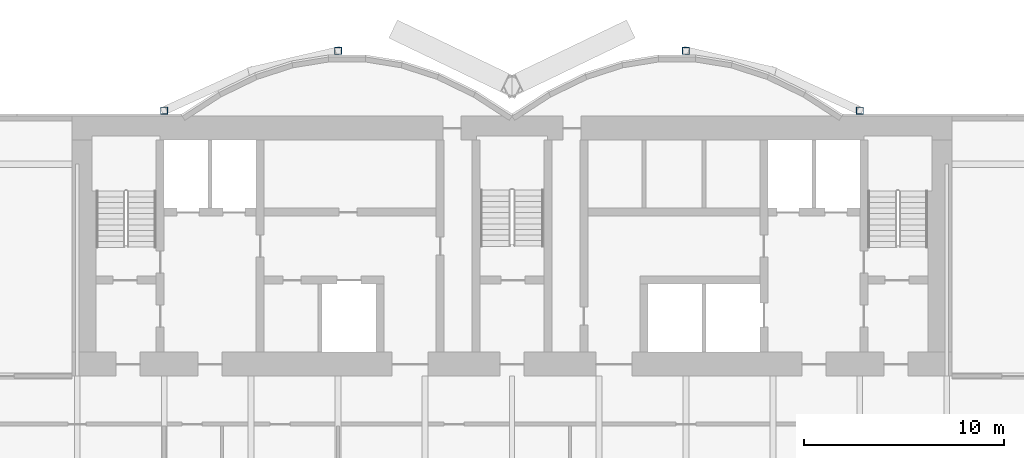
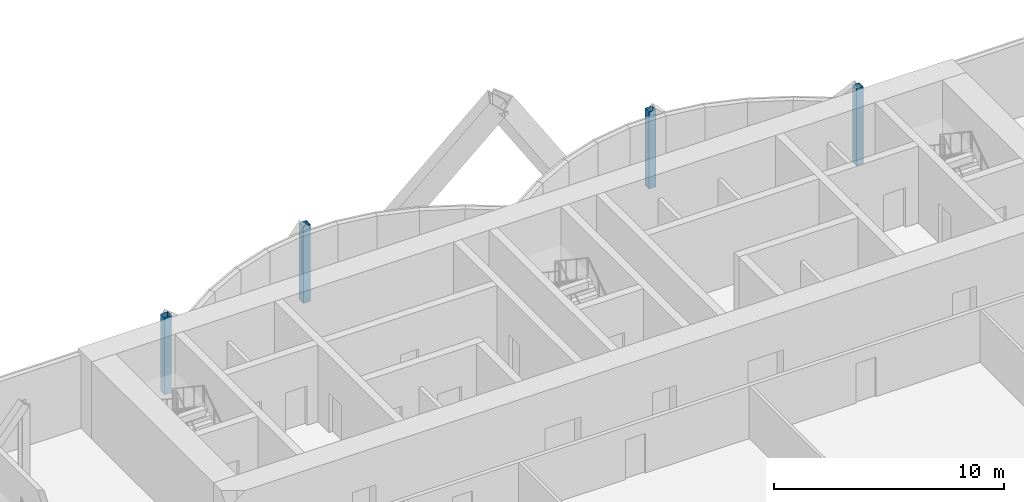
# One storey, part 3 of 20: 4 columns.
"""IFC4 building model written with IfcOpenShell, lengths in metres."""

import ifcopenshell
import ifcopenshell.guid

model = None  # the IFC model being written
_history = None  # IfcOwnerHistory: only IFC2X3 demands one
_inside = {}  # id of a spatial element -> (the spatial element, [elements in it])
_under = {}  # id of a project, library or spatial element -> (it, [spatial elements below it])
_declared = {}  # id of a project -> (the project, [libraries it declares])
_typed = {}  # id of a type object -> (the type object, [elements of that type])
_made_of = {}  # id of a material, layer set ... -> (it, [elements and type objects made of it])


def new_model(schema):
    """Start an empty IFC model of exactly this schema.

    Asked for "IFC4X3", IfcOpenShell would pick the latest addendum, in which some entities
    have other attributes; the version numbers below select the first issue.
    IFC2X3 requires an IfcOwnerHistory on every rooted entity: one is made here for all.
    """
    global model, _history
    if schema == "IFC4X3":
        model = ifcopenshell.file(schema_version=(4, 3, 0, 0))
    else:
        model = ifcopenshell.file(schema=schema)
    _inside.clear()
    _under.clear()
    _declared.clear()
    _typed.clear()
    _made_of.clear()
    _history = None
    if model.schema == "IFC2X3":
        org = make("IfcOrganization", Name="unknown")
        user = make(
            "IfcPersonAndOrganization",
            ThePerson=make("IfcPerson", FamilyName="unknown"),
            TheOrganization=org,
        )
        app = make(
            "IfcApplication",
            ApplicationDeveloper=org,
            Version="unknown",
            ApplicationFullName="unknown",
            ApplicationIdentifier="unknown",
        )
        _history = make(
            "IfcOwnerHistory",
            OwningUser=user,
            OwningApplication=app,
            ChangeAction="ADDED",
            CreationDate=0,
        )
    return model


def make(cls, **values):
    """One entity of the class cls with the attributes given. An attribute that is None is left unset."""
    return model.create_entity(
        cls, **{name: value for name, value in values.items() if value is not None}
    )


def rooted(cls, **values):
    """An entity with a GlobalId (a new one), such as an element, a storey or a relation."""
    return make(cls, GlobalId=ifcopenshell.guid.new(), OwnerHistory=_history, **values)


def si_unit(unit_type, name, prefix=None):
    """IfcSIUnit, for example si_unit("LENGTHUNIT", "METRE", prefix="MILLI")."""
    return make("IfcSIUnit", UnitType=unit_type, Prefix=prefix, Name=name)


def assignment(units):
    """IfcUnitAssignment: the units of a project."""
    return None if units is None else make("IfcUnitAssignment", Units=units)


def point(xyz):
    """IfcCartesianPoint."""
    return None if xyz is None else make("IfcCartesianPoint", Coordinates=xyz)


def direction(xyz):
    """IfcDirection."""
    return None if xyz is None else make("IfcDirection", DirectionRatios=xyz)


def frame(location, z_axis=None, x_axis=None):
    """IfcAxis2Placement3D, a coordinate frame: its origin and axes. An axis left out is left unset."""
    return make(
        "IfcAxis2Placement3D",
        Location=point(location),
        Axis=direction(z_axis),
        RefDirection=direction(x_axis),
    )


def frame_2d(location, x_axis=None):
    """IfcAxis2Placement2D, a coordinate frame in the plane: its origin and x axis."""
    return make(
        "IfcAxis2Placement2D", Location=point(location), RefDirection=direction(x_axis)
    )


def origin():
    """The frame at (0, 0, 0) with its axes left unset."""
    return frame((0.0, 0.0, 0.0))


def origin_2d():
    """The frame at (0, 0) in the plane with its x axis left unset."""
    return frame_2d((0.0, 0.0))


def place(relative_to, where):
    """IfcLocalPlacement: puts the frame where relative to a parent placement (None: the world)."""
    return make(
        "IfcLocalPlacement", PlacementRelTo=relative_to, RelativePlacement=where
    )


def context(
    kind, dimensions, precision=None, world=None, true_north=None, identifier=None
):
    """IfcGeometricRepresentationContext, for example the 3D "Model" context."""
    return make(
        "IfcGeometricRepresentationContext",
        ContextIdentifier=identifier,
        ContextType=kind,
        CoordinateSpaceDimension=dimensions,
        Precision=precision,
        WorldCoordinateSystem=world,
        TrueNorth=true_north,
    )


def subcontext(parent, identifier, kind, view, scale=None):
    """IfcGeometricRepresentationSubContext, for example "Body" below "Model"."""
    return make(
        "IfcGeometricRepresentationSubContext",
        ContextIdentifier=identifier,
        ContextType=kind,
        ParentContext=parent,
        TargetScale=scale,
        TargetView=view,
    )


def project(units=None, contexts=None):
    """IfcProject with its units and contexts."""
    return rooted(
        "IfcProject",
        Name="project",
        RepresentationContexts=contexts,
        UnitsInContext=assignment(units),
    )


def spatial(cls, under=None, at=None, **own):
    """A site, building, storey or space (cls), placed at a placement, below another one or the project."""
    s = rooted(cls, ObjectPlacement=at, **own)
    if under is not None:
        _under.setdefault(under.id(), (under, []))[1].append(s)
    return s


def profile(cls, at=None, kind="AREA", **sizes):
    """A parametric profile (cls). Its sizes go by their IFC names, for example OverallWidth=200.0."""
    return make(cls, ProfileType=kind, Position=at, **sizes)


def hollow_rectangle(**sizes):
    """IfcRectangleHollowProfileDef."""
    return profile("IfcRectangleHollowProfileDef", **sizes)


def extrude(swept, where, along, depth):
    """IfcExtrudedAreaSolid: the profile swept, set in the frame where, extruded along a direction by depth."""
    return make(
        "IfcExtrudedAreaSolid",
        SweptArea=swept,
        Position=where,
        ExtrudedDirection=direction(along),
        Depth=depth,
    )


def shape(context_of_items, identifier, shape_type, items):
    """IfcShapeRepresentation: the items that make up one representation, for example the "Body"."""
    return make(
        "IfcShapeRepresentation",
        ContextOfItems=context_of_items,
        RepresentationIdentifier=identifier,
        RepresentationType=shape_type,
        Items=items,
    )


def material(Name=None, Category=None):
    """IfcMaterial."""
    return make("IfcMaterial", Name=Name, Category=Category)


def material_profile(
    of_material, cross_section, Name=None, Category=None, Priority=None
):
    """IfcMaterialProfile: a cross section and its material."""
    return make(
        "IfcMaterialProfile",
        Name=Name,
        Material=of_material,
        Profile=cross_section,
        Priority=Priority,
        Category=Category,
    )


def profile_set(profiles, Name=None, composite=None):
    """IfcMaterialProfileSet."""
    return make(
        "IfcMaterialProfileSet",
        Name=Name,
        MaterialProfiles=profiles,
        CompositeProfile=composite,
    )


def made_of(thing, what):
    """Note that an element or type object is made of a material, layer set ...; save() writes the relation."""
    if what is not None:
        _made_of.setdefault(what.id(), (what, []))[1].append(thing)
    return thing


def type_object(cls, material=None, **own):
    """A type object (cls), such as IfcWallType, which elements share."""
    return made_of(rooted(cls, **own), material)


def element(
    cls,
    number,
    at=None,
    inside=None,
    cuts=None,
    type_object=None,
    material=None,
    context=None,
    identifier="Body",
    shape_type=None,
    held_by="IfcProductDefinitionShape",
    body=None,
    shapes=None,
    **own,
):
    """One element of the class cls, such as IfcWall. Its Tag is "e" and its number.

    at: its placement. inside: the storey or other place that contains it. cuts: it is an
    opening in that element (IfcRelVoidsElement). A single representation is given by context,
    identifier, shape_type and body (its items); several are given by shapes. held_by: the class
    of the entity that holds the representations. save() writes the other relations.
    """
    e = rooted(cls, Tag="e%d" % number, ObjectPlacement=at, **own)
    if body is not None:
        shapes = [shape(context, identifier, shape_type, body)]
    if shapes is not None:
        e.Representation = make(held_by, Representations=shapes)
    if inside is not None:
        _inside.setdefault(inside.id(), (inside, []))[1].append(e)
    if cuts is not None:
        rooted(
            "IfcRelVoidsElement", RelatingBuildingElement=cuts, RelatedOpeningElement=e
        )
    if type_object is not None:
        _typed.setdefault(type_object.id(), (type_object, []))[1].append(e)
    return made_of(e, material)


def aggregate(whole, parts):
    """IfcRelAggregates: a whole, such as a stair, and the parts it consists of."""
    return rooted("IfcRelAggregates", RelatingObject=whole, RelatedObjects=parts)


def save(model, path):
    """Write the relations noted so far, then the file.

    IfcRelAggregates (storeys below a building ...), IfcRelContainedInSpatialStructure (elements
    in a storey), IfcRelDefinesByType, IfcRelAssociatesMaterial and IfcRelDeclares: one each for
    every whole, place, type object, material and project.
    """
    for whole, parts in _under.values():
        aggregate(whole, parts)
    for where, things in _inside.values():
        rooted(
            "IfcRelContainedInSpatialStructure",
            RelatedElements=things,
            RelatingStructure=where,
        )
    for kind, things in _typed.values():
        rooted("IfcRelDefinesByType", RelatedObjects=things, RelatingType=kind)
    for what, things in _made_of.values():
        rooted("IfcRelAssociatesMaterial", RelatedObjects=things, RelatingMaterial=what)
    for by, libraries in _declared.values():
        rooted("IfcRelDeclares", RelatingContext=by, RelatedDefinitions=libraries)
    model.write(path)


model = new_model("IFC4")

# Units and contexts
model_context = context("Model", 3, precision=1e-05, world=origin(), true_north=direction((0.0, 1.0)))
body_context = subcontext(model_context, "Body", "Model", "MODEL_VIEW")
ifc_project = project(units=[si_unit("LENGTHUNIT", "METRE"), si_unit("AREAUNIT", "SQUARE_METRE"), si_unit("VOLUMEUNIT", "CUBIC_METRE"), si_unit("PLANEANGLEUNIT", "RADIAN"), si_unit("MASSUNIT", "GRAM", prefix="KILO")], contexts=[model_context])

# Site, building, storey
site_placement = place(None, origin())
site = spatial("IfcSite", under=ifc_project, at=site_placement, CompositionType="ELEMENT")
building_placement = place(site_placement, origin())
building = spatial("IfcBuilding", under=site, at=building_placement, Name="Bicima Exchange Tower", CompositionType="ELEMENT")
storey_placement = place(building_placement, frame((0.0, 0.0, 231.89990234375)))
storey = spatial("IfcBuildingStorey", under=building, at=storey_placement, Name="L52", CompositionType="ELEMENT", Elevation=231.89990234375)

# Columns
ifc_material = material(Name="Steel ASTM A572 Gr 50", Category="steel")
ifc_material_profile = material_profile(ifc_material, hollow_rectangle(XDim=0.355712890625, YDim=0.355712890625, WallThickness=0.01171875, at=origin_2d()))
ifc_profile_set = profile_set([ifc_material_profile], Name="Steel ASTM A572 Gr 50")
column_type = type_object("IfcColumnType", Name="Rear pilaster HSS14x14x1/2", PredefinedType="COLUMN", material=ifc_profile_set)
for number, where, z_axis, x_axis, name in (
    (1, (-8.699951171875, 3.26904296875, 0.0), (0.0, 0.0, 1.0), (1.0, 0.0, 0.0), "Rear pilaster rexo-8.7r"),
    (2, (-17.39990234375, 0.278076171875, 0.0), (0.0, 0.0, 1.0), (1.0, 0.0, 0.0), "Rear pilaster rexo-17.4r"),
    (3, (8.699951171875, 3.26904296875, 0.0), (0.0, 0.0, 1.0), (1.0, 0.0, 0.0), "Rear pilaster rexo+8.7r"),
    (4, (17.39990234375, 0.278076171875, 0.0), (0.0, 0.0, 1.0), (1.0, 0.0, 0.0), "Rear pilaster rexo+17.4r"),
):
    element("IfcColumn", number, at=place(storey_placement, frame(where, z_axis=z_axis, x_axis=x_axis)), inside=storey, type_object=column_type, Name=name, PredefinedType="COLUMN", context=body_context, shape_type="SweptSolid", body=[
        extrude(hollow_rectangle(XDim=0.355712890625, YDim=0.355712890625, WallThickness=0.01171875, at=origin_2d()), origin(), (0.0, 0.0, 1.0), 4.10009765625),
    ])

save(model, "model.ifc")
